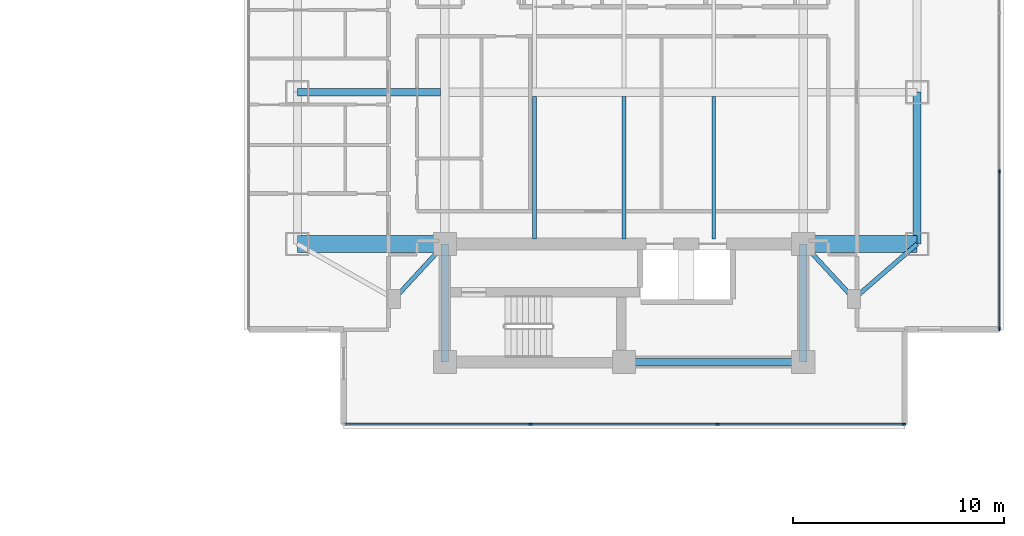
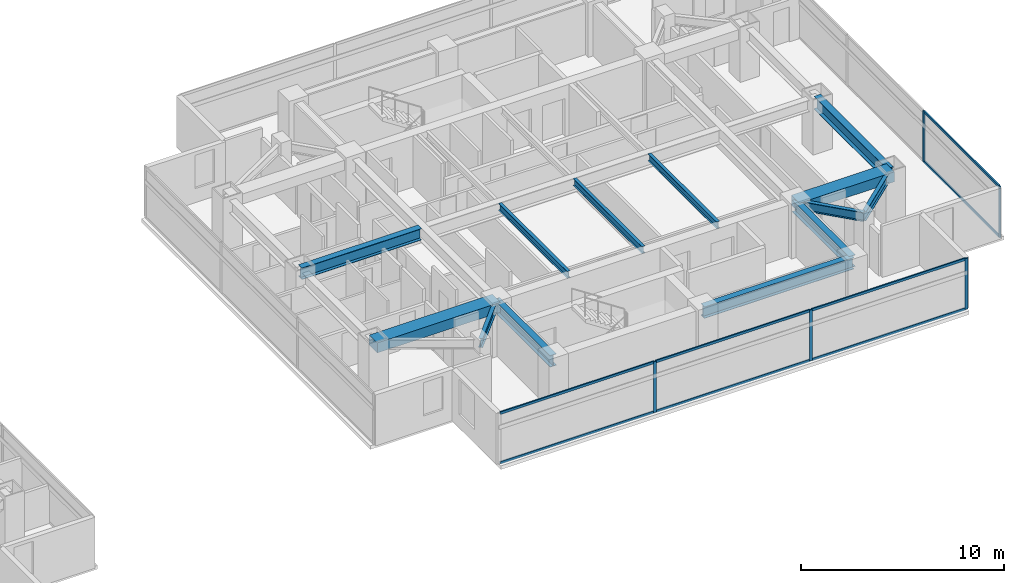
# One storey, part 9 of 25: 13 beams, 13 members, 2 elements without a shape of their own.
"""IFC4 building model written with IfcOpenShell, lengths in metres."""

from ifc_helpers import new_model, si_unit, direction, frame, origin, origin_2d, place, context, subcontext, project, spatial, rectangle, i_section, extrude, material, material_profile, profile_set, type_object, element, aggregate, save


model = new_model("IFC4")

# Units and contexts
model_context = context("Model", 3, precision=1e-05, world=origin(), true_north=direction((0.0, 1.0)))
body_context = subcontext(model_context, "Body", "Model", "MODEL_VIEW")
ifc_project = project(units=[si_unit("LENGTHUNIT", "METRE"), si_unit("AREAUNIT", "SQUARE_METRE"), si_unit("VOLUMEUNIT", "CUBIC_METRE"), si_unit("PLANEANGLEUNIT", "RADIAN"), si_unit("MASSUNIT", "GRAM", prefix="KILO")], contexts=[model_context])

# Site, building, storey
site_placement = place(None, origin())
site = spatial("IfcSite", under=ifc_project, at=site_placement, CompositionType="ELEMENT")
building_placement = place(site_placement, origin())
building = spatial("IfcBuilding", under=site, at=building_placement, Name="Mirazonda Arch Towers", CompositionType="ELEMENT")
storey_placement = place(building_placement, frame((0.0, 0.0, 131.300048828125)))
storey = spatial("IfcBuildingStorey", under=building, at=storey_placement, Name="L37", CompositionType="ELEMENT", Elevation=131.300048828125)

# Beams
ifc_material_1 = material(Name="Steel ASTM A992 Grade 50", Category="steel")
ifc_material_profile_1 = material_profile(ifc_material_1, i_section(OverallWidth=0.381103515625, OverallDepth=0.77294921875, WebThickness=0.0166015625, FlangeThickness=0.027099609375, at=origin_2d()), Name="W30X173")
ifc_profile_set_1 = profile_set([ifc_material_profile_1], Name="Steel ASTM A992 Grade 50")
beam_type_1 = type_object("IfcBeamType", Name="BM-EXT-W30X173", PredefinedType="USERDEFINED", material=ifc_profile_set_1)
beam_1_placement = place(storey_placement, frame((90.39990234375, 20.800048828125, 2.693359375), z_axis=(0.0, 1.0, 0.0), x_axis=(-1.0, 0.0, 0.0)))
element("IfcBeam", 1, at=beam_1_placement, inside=storey, type_object=beam_type_1, Name="L37 Floor Beam BM-T2-L37-NS-E-20", ObjectType="GIRDER", PredefinedType="USERDEFINED", context=body_context, shape_type="SweptSolid", body=[
    extrude(i_section(OverallWidth=0.381103515625, OverallDepth=0.77294921875, WebThickness=0.0166015625, FlangeThickness=0.027099609375, at=origin_2d()), origin(), (0.0, 0.0, 1.0), 7.199951171875),
])
ifc_material_profile_2 = material_profile(ifc_material_1, i_section(OverallWidth=0.180908203125, OverallDepth=0.4169921875, WebThickness=0.010986328125, FlangeThickness=0.018310546875, at=origin_2d()), Name="W16X57")
ifc_profile_set_2 = profile_set([ifc_material_profile_2], Name="Steel ASTM A992 Grade 50")
beam_type_2 = type_object("IfcBeamType", Name="BM-INT-W16X57", PredefinedType="JOIST", material=ifc_profile_set_2)
for number, where, z_axis, x_axis, name in (
    (2, (72.25, 21.0400390625, 2.871337890625), (0.0, 1.0, 0.0), (-1.0, 0.0, 0.0), "L37 Floor Beam BM-T2-L37-J-722-20"),
    (3, (76.5, 21.0400390625, 2.871337890625), (0.0, 1.0, 0.0), (-1.0, 0.0, 0.0), "L37 Floor Beam BM-T2-L37-J-765-20"),
    (4, (80.75, 21.0400390625, 2.871337890625), (0.0, 1.0, 0.0), (-1.0, 0.0, 0.0), "L37 Floor Beam BM-T2-L37-J-807-20"),
):
    element("IfcBeam", number, at=place(storey_placement, frame(where, z_axis=z_axis, x_axis=x_axis)), inside=storey, type_object=beam_type_2, Name=name, PredefinedType="JOIST", context=body_context, shape_type="SweptSolid", body=[
        extrude(i_section(OverallWidth=0.180908203125, OverallDepth=0.4169921875, WebThickness=0.010986328125, FlangeThickness=0.018310546875, at=origin_2d()), origin(), (0.0, 0.0, 1.0), 6.763916015625),
    ])
ifc_material_profile_3 = material_profile(ifc_material_1, i_section(OverallWidth=0.214111328125, OverallDepth=0.549072265625, WebThickness=0.0146484375, FlangeThickness=0.023681640625, at=origin_2d()), Name="W21X93")
ifc_profile_set_3 = profile_set([ifc_material_profile_3], Name="Steel ASTM A992 Grade 50")
beam_type_3 = type_object("IfcBeamType", Name="BM-INT-W21X93", PredefinedType="BEAM", material=ifc_profile_set_3)
for number, where, z_axis, x_axis, name in (
    (5, (65.60009765625, 18.199951171875, 2.805419921875), (0.678251444854, 0.734829897019, 0.0), (-0.734829897019, 0.678251444854, 0.0), "L37 Floor Beam BM-T2-L37-PL-SW1"),
    (6, (87.39990234375, 18.199951171875, 2.805419921875), (-0.678251444854, 0.734829897019, 0.0), (-0.734829897019, -0.678251444854, 0.0), "L37 Floor Beam BM-T2-L37-PL-SE1"),
):
    element("IfcBeam", number, at=place(storey_placement, frame(where, z_axis=z_axis, x_axis=x_axis)), inside=storey, type_object=beam_type_3, Name=name, PredefinedType="BEAM", context=body_context, shape_type="SweptSolid", body=[
        extrude(i_section(OverallWidth=0.214111328125, OverallDepth=0.549072265625, WebThickness=0.0146484375, FlangeThickness=0.023681640625, at=origin_2d()), origin(), (0.0, 0.0, 1.0), 3.538330078125),
    ])
beam_2_placement = place(storey_placement, frame((87.39990234375, 18.199951171875, 2.805419921875), z_axis=(0.755676908098, 0.654944585876, 0.0), x_axis=(-0.654944585876, 0.755676908098, 0.0)))
element("IfcBeam", 7, at=beam_2_placement, inside=storey, type_object=beam_type_3, Name="L37 Floor Beam BM-T2-L37-PL-SE2", PredefinedType="BEAM", context=body_context, shape_type="SweptSolid", body=[
    extrude(i_section(OverallWidth=0.214111328125, OverallDepth=0.549072265625, WebThickness=0.0146484375, FlangeThickness=0.023681640625, at=origin_2d()), origin(), (0.0, 0.0, 1.0), 3.969970703125),
])
ifc_material_profile_4 = material_profile(ifc_material_1, i_section(OverallWidth=0.35498046875, OverallDepth=0.696044921875, WebThickness=0.015380859375, FlangeThickness=0.02490234375, at=origin_2d()), Name="W27X146")
ifc_profile_set_4 = profile_set([ifc_material_profile_4], Name="Steel ASTM A992 Grade 50")
beam_type_4 = type_object("IfcBeamType", Name="BM-INT-W27X146", PredefinedType="BEAM", material=ifc_profile_set_4)
beam_3_placement = place(storey_placement, frame((76.5, 15.199951171875, 2.73193359375), z_axis=(1.0, 0.0, 0.0), x_axis=(0.0, 1.0, 0.0)))
element("IfcBeam", 8, at=beam_3_placement, inside=storey, type_object=beam_type_4, Name="L37 Floor Beam BM-T2-L37-CS2", PredefinedType="BEAM", context=body_context, shape_type="SweptSolid", body=[
    extrude(i_section(OverallWidth=0.35498046875, OverallDepth=0.696044921875, WebThickness=0.015380859375, FlangeThickness=0.02490234375, at=origin_2d()), origin(), (0.0, 0.0, 1.0), 8.5),
])
for number, where, z_axis, x_axis, name in (
    (9, (68.0, 15.199951171875, 2.73193359375), (0.0, 1.0, 0.0), (-1.0, 0.0, 0.0), "L37 Floor Beam BM-T2-L37-CSW"),
    (10, (85.0, 15.199951171875, 2.73193359375), (0.0, 1.0, 0.0), (-1.0, 0.0, 0.0), "L37 Floor Beam BM-T2-L37-CSE"),
):
    element("IfcBeam", number, at=place(storey_placement, frame(where, z_axis=z_axis, x_axis=x_axis)), inside=storey, type_object=beam_type_4, Name=name, PredefinedType="BEAM", context=body_context, shape_type="SweptSolid", body=[
        extrude(i_section(OverallWidth=0.35498046875, OverallDepth=0.696044921875, WebThickness=0.015380859375, FlangeThickness=0.02490234375, at=origin_2d()), origin(), (0.0, 0.0, 1.0), 5.60009765625),
    ])
beam_4_placement = place(storey_placement, frame((61.0, 28.0, 2.73193359375), z_axis=(1.0, 0.0, 0.0), x_axis=(0.0, 1.0, 0.0)))
element("IfcBeam", 11, at=beam_4_placement, inside=storey, type_object=beam_type_4, Name="L37 Floor Beam BM-T2-L37-GW2", PredefinedType="BEAM", context=body_context, shape_type="SweptSolid", body=[
    extrude(i_section(OverallWidth=0.35498046875, OverallDepth=0.696044921875, WebThickness=0.015380859375, FlangeThickness=0.02490234375, at=origin_2d()), origin(), (0.0, 0.0, 1.0), 6.800048828125),
])
ifc_material_2 = material(Name="Concrete C60/75", Category="concrete")
ifc_material_profile_5 = material_profile(ifc_material_2, rectangle(XDim=0.800048828125, YDim=0.60009765625, at=origin_2d()), Name="RCCB800x600")
ifc_profile_set_5 = profile_set([ifc_material_profile_5], Name="Concrete C60/75")
beam_type_5 = type_object("IfcBeamType", Name="CB-INT-RCCB800x600", PredefinedType="SPANDREL", material=ifc_profile_set_5)
beam_5_placement = place(storey_placement, frame((61.0, 20.800048828125, 2.780029296875), z_axis=(1.0, 0.0, 0.0), x_axis=(0.0, 1.0, 0.0)))
element("IfcBeam", 12, at=beam_5_placement, inside=storey, type_object=beam_type_5, Name="L37 Floor Beam CBC-T2-L37-SW", PredefinedType="SPANDREL", context=body_context, shape_type="SweptSolid", body=[
    extrude(rectangle(XDim=0.800048828125, YDim=0.60009765625, at=origin_2d()), origin(), (0.0, 0.0, 1.0), 7.0),
])
beam_6_placement = place(storey_placement, frame((85.0, 20.800048828125, 2.780029296875), z_axis=(1.0, 0.0, 0.0), x_axis=(0.0, 1.0, 0.0)))
element("IfcBeam", 13, at=beam_6_placement, inside=storey, type_object=beam_type_5, Name="L37 Floor Beam CBC-T2-L37-SE", PredefinedType="SPANDREL", context=body_context, shape_type="SweptSolid", body=[
    extrude(rectangle(XDim=0.800048828125, YDim=0.60009765625, at=origin_2d()), origin(), (0.0, 0.0, 1.0), 5.39990234375),
])

# Curtain wall, members
ifc_material_3 = material(Name="Anodised Aluminium and Low-E Glass", Category="aluminium")
curtain_wall_type = type_object("IfcCurtainWallType", Name="CW-HTL-UNIT", PredefinedType="NOTDEFINED", material=ifc_material_3)
curtain_wall_1_placement = place(storey_placement, origin())
curtain_wall_1 = element("IfcCurtainWall", 14, at=curtain_wall_1_placement, inside=storey, type_object=curtain_wall_type, Name="L37 T2 S Facade CW-L37-T2-S", PredefinedType="NOTDEFINED")
ifc_material_4 = material(Name="Anodised Aluminium Alloy", Category="aluminium")
ifc_material_profile_6 = material_profile(ifc_material_4, rectangle(XDim=0.074951171875, YDim=0.1650390625, at=origin_2d()), Name="ALU-MULL-75x165")
ifc_profile_set_6 = profile_set([ifc_material_profile_6], Name="Anodised Aluminium Alloy")
member_type_1 = type_object("IfcMemberType", Name="MULL-CW-HTL-UNIT", PredefinedType="MULLION", material=ifc_profile_set_6)
member_1_placement = place(storey_placement, frame((89.77294921875, 12.247802734375, 0.0), z_axis=(0.0, 0.0, 1.0), x_axis=(0.0, -1.0, 0.0)))
member_1 = element("IfcMember", 15, at=member_1_placement, type_object=member_type_1, Name="CW-112 mullion 1", PredefinedType="MULLION", context=body_context, shape_type="SweptSolid", body=[
    extrude(rectangle(XDim=0.074951171875, YDim=0.1650390625, at=origin_2d()), origin(), (0.0, 0.0, 1.0), 3.06005859375),
])
member_2_placement = place(storey_placement, frame((80.936767578125, 12.247802734375, 0.0), z_axis=(0.0, 0.0, 1.0), x_axis=(0.0, -1.0, 0.0)))
member_2 = element("IfcMember", 16, at=member_2_placement, type_object=member_type_1, Name="CW-112 mullion 2", PredefinedType="MULLION", context=body_context, shape_type="SweptSolid", body=[
    extrude(rectangle(XDim=0.074951171875, YDim=0.1650390625, at=origin_2d()), origin(), (0.0, 0.0, 1.0), 3.06005859375),
])
member_3_placement = place(storey_placement, frame((72.063232421875, 12.247802734375, 0.0), z_axis=(0.0, 0.0, 1.0), x_axis=(0.0, -1.0, 0.0)))
member_3 = element("IfcMember", 17, at=member_3_placement, type_object=member_type_1, Name="CW-112 mullion 3", PredefinedType="MULLION", context=body_context, shape_type="SweptSolid", body=[
    extrude(rectangle(XDim=0.074951171875, YDim=0.1650390625, at=origin_2d()), origin(), (0.0, 0.0, 1.0), 3.06005859375),
])

curtain_wall_2_placement = place(storey_placement, origin())
curtain_wall_2 = element("IfcCurtainWall", 18, at=curtain_wall_2_placement, inside=storey, type_object=curtain_wall_type, Name="L37 T2 E Facade CW-L37-T2-E", PredefinedType="NOTDEFINED")
member_4_placement = place(storey_placement, frame((94.297119140625, 16.771728515625, 0.0), z_axis=(0.0, 0.0, 1.0), x_axis=(-1.0, 0.0, 0.0)))
member_4 = element("IfcMember", 19, at=member_4_placement, type_object=member_type_1, Name="CW-112 mullion 1", PredefinedType="MULLION", context=body_context, shape_type="SweptSolid", body=[
    extrude(rectangle(XDim=0.074951171875, YDim=0.1650390625, at=origin_2d()), origin(), (0.0, 0.0, 1.0), 3.06005859375),
])
member_5_placement = place(storey_placement, frame((94.297119140625, 24.244873046875, 0.0), z_axis=(0.0, 0.0, 1.0), x_axis=(-1.0, 0.0, 0.0)))
member_5 = element("IfcMember", 20, at=member_5_placement, type_object=member_type_1, Name="CW-112 mullion 2", PredefinedType="MULLION", context=body_context, shape_type="SweptSolid", body=[
    extrude(rectangle(XDim=0.074951171875, YDim=0.1650390625, at=origin_2d()), origin(), (0.0, 0.0, 1.0), 3.06005859375),
])

# Member
ifc_material_profile_7 = material_profile(ifc_material_4, rectangle(XDim=0.074951171875, YDim=0.14501953125, at=origin_2d()), Name="ALU-TRAN-75x145")
ifc_profile_set_7 = profile_set([ifc_material_profile_7], Name="Anodised Aluminium Alloy")
member_type_2 = type_object("IfcMemberType", Name="TRAN-CW-HTL-UNIT", PredefinedType="USERDEFINED", material=ifc_profile_set_7)
member_6_placement = place(storey_placement, frame((89.735595703125, 12.247802734375, 0.037353515625), z_axis=(-1.0, 0.0, 0.0), x_axis=(0.0, -1.0, 0.0)))
member_6 = element("IfcMember", 21, at=member_6_placement, type_object=member_type_2, Name="CW-112 transom 1.1", ObjectType="TRANSOM", PredefinedType="USERDEFINED", context=body_context, shape_type="SweptSolid", body=[
    extrude(rectangle(XDim=0.074951171875, YDim=0.14501953125, at=origin_2d()), origin(), (0.0, 0.0, 1.0), 8.76123046875),
])

member_7_placement = place(storey_placement, frame((89.735595703125, 12.247802734375, 3.0224609375), z_axis=(-1.0, 0.0, 0.0), x_axis=(0.0, -1.0, 0.0)))
member_7 = element("IfcMember", 22, at=member_7_placement, type_object=member_type_2, Name="CW-112 transom 1.2", ObjectType="TRANSOM", PredefinedType="USERDEFINED", context=body_context, shape_type="SweptSolid", body=[
    extrude(rectangle(XDim=0.074951171875, YDim=0.14501953125, at=origin_2d()), origin(), (0.0, 0.0, 1.0), 8.76123046875),
])

member_8_placement = place(storey_placement, frame((80.8994140625, 12.247802734375, 0.037353515625), z_axis=(-1.0, 0.0, 0.0), x_axis=(0.0, -1.0, 0.0)))
member_8 = element("IfcMember", 23, at=member_8_placement, type_object=member_type_2, Name="CW-112 transom 2.1", ObjectType="TRANSOM", PredefinedType="USERDEFINED", context=body_context, shape_type="SweptSolid", body=[
    extrude(rectangle(XDim=0.074951171875, YDim=0.14501953125, at=origin_2d()), origin(), (0.0, 0.0, 1.0), 8.798828125),
])

member_9_placement = place(storey_placement, frame((80.8994140625, 12.247802734375, 3.0224609375), z_axis=(-1.0, 0.0, 0.0), x_axis=(0.0, -1.0, 0.0)))
member_9 = element("IfcMember", 24, at=member_9_placement, type_object=member_type_2, Name="CW-112 transom 2.2", ObjectType="TRANSOM", PredefinedType="USERDEFINED", context=body_context, shape_type="SweptSolid", body=[
    extrude(rectangle(XDim=0.074951171875, YDim=0.14501953125, at=origin_2d()), origin(), (0.0, 0.0, 1.0), 8.798828125),
])

member_10_placement = place(storey_placement, frame((72.025634765625, 12.247802734375, 0.037353515625), z_axis=(-1.0, 0.0, 0.0), x_axis=(0.0, -1.0, 0.0)))
member_10 = element("IfcMember", 25, at=member_10_placement, type_object=member_type_2, Name="CW-112 transom 3.1", ObjectType="TRANSOM", PredefinedType="USERDEFINED", context=body_context, shape_type="SweptSolid", body=[
    extrude(rectangle(XDim=0.074951171875, YDim=0.14501953125, at=origin_2d()), origin(), (0.0, 0.0, 1.0), 8.76123046875),
])

member_11_placement = place(storey_placement, frame((72.025634765625, 12.247802734375, 3.0224609375), z_axis=(-1.0, 0.0, 0.0), x_axis=(0.0, -1.0, 0.0)))
member_11 = element("IfcMember", 26, at=member_11_placement, type_object=member_type_2, Name="CW-112 transom 3.2", ObjectType="TRANSOM", PredefinedType="USERDEFINED", context=body_context, shape_type="SweptSolid", body=[
    extrude(rectangle(XDim=0.074951171875, YDim=0.14501953125, at=origin_2d()), origin(), (0.0, 0.0, 1.0), 8.76123046875),
])

aggregate(curtain_wall_1, [member_1, member_2, member_3, member_6, member_7, member_8, member_9, member_10, member_11])

member_12_placement = place(storey_placement, frame((94.297119140625, 16.809326171875, 0.037353515625), z_axis=(0.0, 1.0, 0.0), x_axis=(-1.0, 0.0, 0.0)))
member_12 = element("IfcMember", 27, at=member_12_placement, type_object=member_type_2, Name="CW-112 transom 1.1", ObjectType="TRANSOM", PredefinedType="USERDEFINED", context=body_context, shape_type="SweptSolid", body=[
    extrude(rectangle(XDim=0.074951171875, YDim=0.14501953125, at=origin_2d()), origin(), (0.0, 0.0, 1.0), 7.39794921875),
])

member_13_placement = place(storey_placement, frame((94.297119140625, 16.809326171875, 3.0224609375), z_axis=(0.0, 1.0, 0.0), x_axis=(-1.0, 0.0, 0.0)))
member_13 = element("IfcMember", 28, at=member_13_placement, type_object=member_type_2, Name="CW-112 transom 1.2", ObjectType="TRANSOM", PredefinedType="USERDEFINED", context=body_context, shape_type="SweptSolid", body=[
    extrude(rectangle(XDim=0.074951171875, YDim=0.14501953125, at=origin_2d()), origin(), (0.0, 0.0, 1.0), 7.39794921875),
])

aggregate(curtain_wall_2, [member_4, member_5, member_12, member_13])

save(model, "model.ifc")
